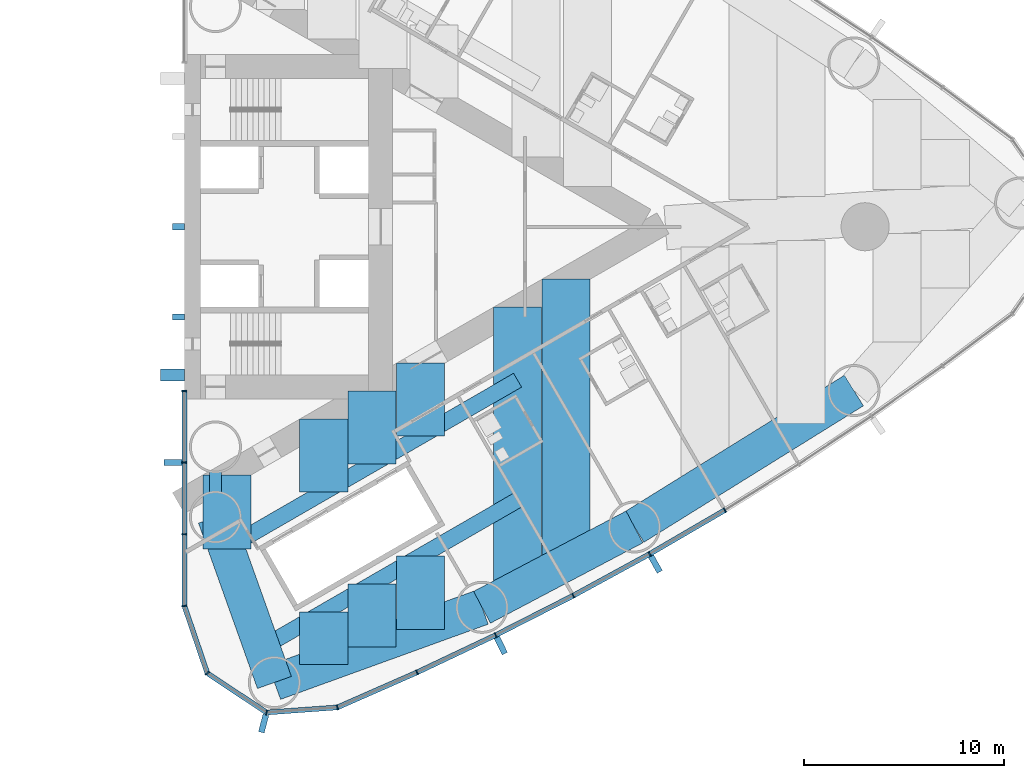
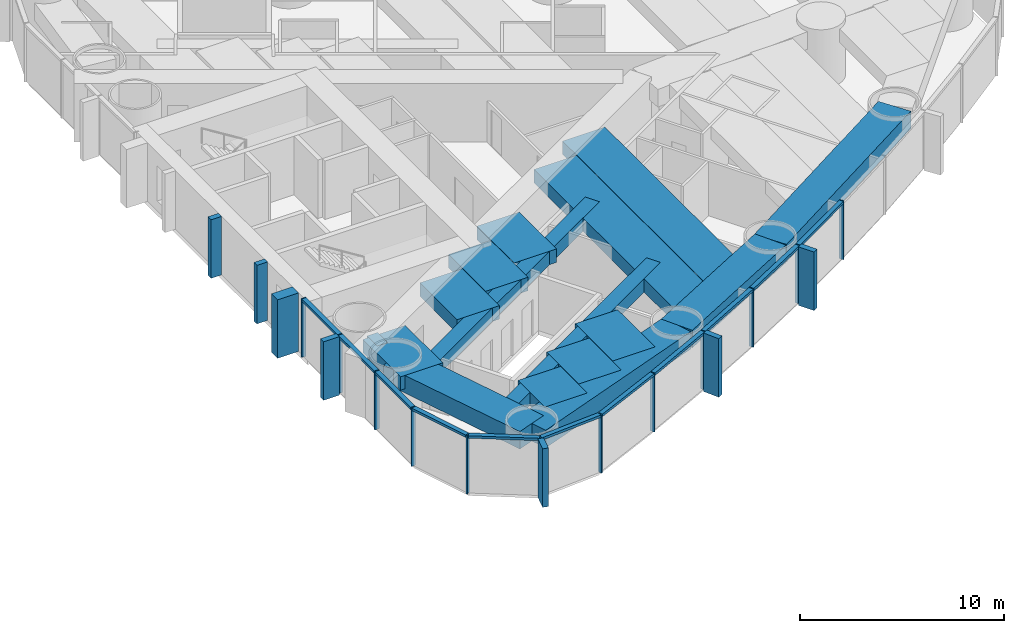
# One storey, part 6 of 18: 30 members, 16 beams, 1 element without a shape of its own.
"""IFC4 building model written with IfcOpenShell, lengths in metres."""

from ifc_helpers import new_model, si_unit, direction, frame, origin, origin_2d, place, context, subcontext, project, spatial, rectangle, hollow_rectangle, extrude, material, material_profile, profile_set, type_object, element, aggregate, save


model = new_model("IFC4")

# Units and contexts
model_context = context("Model", 3, precision=1e-05, world=origin(), true_north=direction((0.0, 1.0)))
body_context = subcontext(model_context, "Body", "Model", "MODEL_VIEW")
ifc_project = project(units=[si_unit("LENGTHUNIT", "METRE"), si_unit("AREAUNIT", "SQUARE_METRE"), si_unit("VOLUMEUNIT", "CUBIC_METRE"), si_unit("PLANEANGLEUNIT", "RADIAN"), si_unit("MASSUNIT", "GRAM", prefix="KILO")], contexts=[model_context])

# Site, building, storey
site_placement = place(None, origin())
site = spatial("IfcSite", under=ifc_project, at=site_placement, CompositionType="ELEMENT")
building_placement = place(site_placement, origin())
building = spatial("IfcBuilding", under=site, at=building_placement, Name="Lancet Gate Hotel", CompositionType="ELEMENT")
storey_placement = place(building_placement, frame((0.0, 0.0, 94.10009765625)))
storey = spatial("IfcBuildingStorey", under=building, at=storey_placement, Name="L24", CompositionType="ELEMENT", Elevation=94.10009765625)

# Curtain wall, members
ifc_material_1 = material(Name="Aluminium curtain wall", Category="aluminium")
curtain_wall_type = type_object("IfcCurtainWallType", Name="Tower unitised curtain wall", PredefinedType="USERDEFINED", material=ifc_material_1)
curtain_wall_placement = place(storey_placement, origin())
curtain_wall = element("IfcCurtainWall", 1, at=curtain_wall_placement, inside=storey, type_object=curtain_wall_type, Name="T2 L24 curtain wall 1", ObjectType="UNITISED CURTAIN WALL", PredefinedType="USERDEFINED")
ifc_material_2 = material(Name="Aluminium mullion", Category="aluminium")
ifc_material_profile_1 = material_profile(ifc_material_2, rectangle(XDim=0.06494140625, YDim=0.25, at=origin_2d()), Name="MULLION 65x250")
ifc_profile_set_1 = profile_set([ifc_material_profile_1], Name="Aluminium mullion")
member_type_1 = type_object("IfcMemberType", Name="Aluminium mullion 65x250", PredefinedType="MULLION", material=ifc_profile_set_1)
member_1_placement = place(storey_placement, frame((27.5, -8.199951171875, 0.0), z_axis=(0.0, 0.0, 1.0), x_axis=(0.0, -1.0, 0.0)))
member_1 = element("IfcMember", 2, at=member_1_placement, type_object=member_type_1, Name="T2 L24 curtain wall 1 mullion 1", PredefinedType="MULLION", context=body_context, shape_type="SweptSolid", body=[
    extrude(rectangle(XDim=0.06494140625, YDim=0.25, at=origin_2d()), origin(), (0.0, 0.0, 1.0), 3.5),
])
member_2_placement = place(storey_placement, frame((27.5, -11.781005859375, 0.0), z_axis=(0.0, 0.0, 1.0), x_axis=(0.0, -1.0, 0.0)))
member_2 = element("IfcMember", 3, at=member_2_placement, type_object=member_type_1, Name="T2 L24 curtain wall 1 mullion 2", PredefinedType="MULLION", context=body_context, shape_type="SweptSolid", body=[
    extrude(rectangle(XDim=0.06494140625, YDim=0.25, at=origin_2d()), origin(), (0.0, 0.0, 1.0), 3.5),
])
member_3_placement = place(storey_placement, frame((27.5, -15.362060546875, 0.0), z_axis=(0.0, 0.0, 1.0), x_axis=(0.0, -1.0, 0.0)))
member_3 = element("IfcMember", 4, at=member_3_placement, type_object=member_type_1, Name="T2 L24 curtain wall 1 mullion 3", PredefinedType="MULLION", context=body_context, shape_type="SweptSolid", body=[
    extrude(rectangle(XDim=0.06494140625, YDim=0.25, at=origin_2d()), origin(), (0.0, 0.0, 1.0), 3.5),
])
member_4_placement = place(storey_placement, frame((27.5, -18.94287109375, 0.0), z_axis=(0.0, 0.0, 1.0), x_axis=(0.162738742557, -0.986669195663, 0.0)))
member_4 = element("IfcMember", 5, at=member_4_placement, type_object=member_type_1, Name="T2 L24 curtain wall 1 mullion 4", PredefinedType="MULLION", context=body_context, shape_type="SweptSolid", body=[
    extrude(rectangle(XDim=0.06494140625, YDim=0.25, at=origin_2d()), origin(), (0.0, 0.0, 1.0), 3.5),
])
member_5_placement = place(storey_placement, frame((28.64453125, -22.301513671875, 0.0), z_axis=(0.0, 0.0, 1.0), x_axis=(0.610663954798, -0.79188984986, 0.0)))
member_5 = element("IfcMember", 6, at=member_5_placement, type_object=member_type_1, Name="T2 L24 curtain wall 1 mullion 5", PredefinedType="MULLION", context=body_context, shape_type="SweptSolid", body=[
    extrude(rectangle(XDim=0.06494140625, YDim=0.25, at=origin_2d()), origin(), (0.0, 0.0, 1.0), 3.5),
])
member_6_placement = place(storey_placement, frame((31.60205078125, -24.26220703125, 0.0), z_axis=(0.0, 0.0, 1.0), x_axis=(0.967157174963, -0.254179068604, 0.0)))
member_6 = element("IfcMember", 7, at=member_6_placement, type_object=member_type_1, Name="T2 L24 curtain wall 1 mullion 6", PredefinedType="MULLION", context=body_context, shape_type="SweptSolid", body=[
    extrude(rectangle(XDim=0.06494140625, YDim=0.25, at=origin_2d()), origin(), (0.0, 0.0, 1.0), 3.5),
])
member_7_placement = place(storey_placement, frame((35.141357421875, -24.009033203125, 0.0), z_axis=(0.0, 0.0, 1.0), x_axis=(0.966317378791, 0.257353304711, 0.0)))
member_7 = element("IfcMember", 8, at=member_7_placement, type_object=member_type_1, Name="T2 L24 curtain wall 1 mullion 7", PredefinedType="MULLION", context=body_context, shape_type="SweptSolid", body=[
    extrude(rectangle(XDim=0.06494140625, YDim=0.25, at=origin_2d()), origin(), (0.0, 0.0, 1.0), 3.5),
])
member_8_placement = place(storey_placement, frame((39.12109375, -22.259765625, 0.0), z_axis=(0.0, 0.0, 1.0), x_axis=(0.909672766767, 0.415325724465, 0.0)))
member_8 = element("IfcMember", 9, at=member_8_placement, type_object=member_type_1, Name="T2 L24 curtain wall 1 mullion 8", PredefinedType="MULLION", context=body_context, shape_type="SweptSolid", body=[
    extrude(rectangle(XDim=0.06494140625, YDim=0.25, at=origin_2d()), origin(), (0.0, 0.0, 1.0), 3.5),
])
member_9_placement = place(storey_placement, frame((43.0498046875, -20.398193359375, 0.0), z_axis=(0.0, 0.0, 1.0), x_axis=(0.897511886496, 0.440990264743, 0.0)))
member_9 = element("IfcMember", 10, at=member_9_placement, type_object=member_type_1, Name="T2 L24 curtain wall 1 mullion 9", PredefinedType="MULLION", context=body_context, shape_type="SweptSolid", body=[
    extrude(rectangle(XDim=0.06494140625, YDim=0.25, at=origin_2d()), origin(), (0.0, 0.0, 1.0), 3.5),
])
member_10_placement = place(storey_placement, frame((46.923828125, -18.426025390625, 0.0), z_axis=(0.0, 0.0, 1.0), x_axis=(0.884627112962, 0.466299121822, 0.0)))
member_10 = element("IfcMember", 11, at=member_10_placement, type_object=member_type_1, Name="T2 L24 curtain wall 1 mullion 10", PredefinedType="MULLION", context=body_context, shape_type="SweptSolid", body=[
    extrude(rectangle(XDim=0.06494140625, YDim=0.25, at=origin_2d()), origin(), (0.0, 0.0, 1.0), 3.5),
])
member_11_placement = place(storey_placement, frame((50.740478515625, -16.344482421875, 0.0), z_axis=(0.0, 0.0, 1.0), x_axis=(0.871028838445, 0.491231882716, 0.0)))
member_11 = element("IfcMember", 12, at=member_11_placement, type_object=member_type_1, Name="T2 L24 curtain wall 1 mullion 11", PredefinedType="MULLION", context=body_context, shape_type="SweptSolid", body=[
    extrude(rectangle(XDim=0.06494140625, YDim=0.25, at=origin_2d()), origin(), (0.0, 0.0, 1.0), 3.5),
])
member_12_placement = place(storey_placement, frame((54.496337890625, -14.1552734375, 0.0), z_axis=(0.0, 0.0, 1.0), x_axis=(0.856728030701, 0.515768437781, 0.0)))
member_12 = element("IfcMember", 13, at=member_12_placement, type_object=member_type_1, Name="T2 L24 curtain wall 1 mullion 12", PredefinedType="MULLION", context=body_context, shape_type="SweptSolid", body=[
    extrude(rectangle(XDim=0.06494140625, YDim=0.25, at=origin_2d()), origin(), (0.0, 0.0, 1.0), 3.5),
])
ifc_material_3 = material(Name="Aluminium transom", Category="aluminium")
ifc_material_profile_2 = material_profile(ifc_material_3, rectangle(XDim=0.25, YDim=0.14990234375, at=origin_2d()), Name="TRANSOM 250x150")
ifc_profile_set_2 = profile_set([ifc_material_profile_2], Name="Aluminium transom")
member_type_2 = type_object("IfcMemberType", Name="Aluminium transom 250x150", PredefinedType="USERDEFINED", material=ifc_profile_set_2)
member_13_placement = place(storey_placement, frame((27.5, -8.232421875, 3.4248046875), z_axis=(0.0, -1.0, 0.0), x_axis=(1.0, 0.0, 0.0)))
member_13 = element("IfcMember", 14, at=member_13_placement, type_object=member_type_2, Name="T2 L24 curtain wall 1 transom 1", ObjectType="TRANSOM", PredefinedType="USERDEFINED", context=body_context, shape_type="SweptSolid", body=[
    extrude(rectangle(XDim=0.25, YDim=0.14990234375, at=origin_2d()), origin(), (0.0, 0.0, 1.0), 3.51611328125),
])
member_14_placement = place(storey_placement, frame((27.5, -11.8134765625, 3.4248046875), z_axis=(0.0, -1.0, 0.0), x_axis=(1.0, 0.0, 0.0)))
member_14 = element("IfcMember", 15, at=member_14_placement, type_object=member_type_2, Name="T2 L24 curtain wall 1 transom 2", ObjectType="TRANSOM", PredefinedType="USERDEFINED", context=body_context, shape_type="SweptSolid", body=[
    extrude(rectangle(XDim=0.25, YDim=0.14990234375, at=origin_2d()), origin(), (0.0, 0.0, 1.0), 3.515869140625),
])
member_15_placement = place(storey_placement, frame((27.5, -15.39453125, 3.4248046875), z_axis=(0.0, -1.0, 0.0), x_axis=(1.0, 0.0, 0.0)))
member_15 = element("IfcMember", 16, at=member_15_placement, type_object=member_type_2, Name="T2 L24 curtain wall 1 transom 3", ObjectType="TRANSOM", PredefinedType="USERDEFINED", context=body_context, shape_type="SweptSolid", body=[
    extrude(rectangle(XDim=0.25, YDim=0.14990234375, at=origin_2d()), origin(), (0.0, 0.0, 1.0), 3.515869140625),
])
member_16_placement = place(storey_placement, frame((27.510498046875, -18.9736328125, 3.4248046875), z_axis=(0.322549769135, -0.946552505903, 0.0), x_axis=(0.946552505903, 0.322549769135, 0.0)))
member_16 = element("IfcMember", 17, at=member_16_placement, type_object=member_type_2, Name="T2 L24 curtain wall 1 transom 4", ObjectType="TRANSOM", PredefinedType="USERDEFINED", context=body_context, shape_type="SweptSolid", body=[
    extrude(rectangle(XDim=0.25, YDim=0.14990234375, at=origin_2d()), origin(), (0.0, 0.0, 1.0), 3.4833984375),
])
member_17_placement = place(storey_placement, frame((28.671630859375, -22.319580078125, 3.4248046875), z_axis=(0.833470854141, -0.552563421968, 0.0), x_axis=(0.552563421968, 0.833470854141, 0.0)))
member_17 = element("IfcMember", 18, at=member_17_placement, type_object=member_type_2, Name="T2 L24 curtain wall 1 transom 5", ObjectType="TRANSOM", PredefinedType="USERDEFINED", context=body_context, shape_type="SweptSolid", body=[
    extrude(rectangle(XDim=0.25, YDim=0.14990234375, at=origin_2d()), origin(), (0.0, 0.0, 1.0), 3.4833984375),
])
member_18_placement = place(storey_placement, frame((31.634521484375, -24.260009765625, 3.4248046875), z_axis=(0.997446232115, 0.071421383636, 0.0), x_axis=(-0.071421383636, 0.997446232115, 0.0)))
member_18 = element("IfcMember", 19, at=member_18_placement, type_object=member_type_2, Name="T2 L24 curtain wall 1 transom 6", ObjectType="TRANSOM", PredefinedType="USERDEFINED", context=body_context, shape_type="SweptSolid", body=[
    extrude(rectangle(XDim=0.25, YDim=0.14990234375, at=origin_2d()), origin(), (0.0, 0.0, 1.0), 3.483154296875),
])
member_19_placement = place(storey_placement, frame((35.171142578125, -23.995849609375, 3.4248046875), z_axis=(0.915484772266, 0.402352621155, 0.0), x_axis=(-0.402352621155, 0.915484772266, 0.0)))
member_19 = element("IfcMember", 20, at=member_19_placement, type_object=member_type_2, Name="T2 L24 curtain wall 1 transom 7", ObjectType="TRANSOM", PredefinedType="USERDEFINED", context=body_context, shape_type="SweptSolid", body=[
    extrude(rectangle(XDim=0.25, YDim=0.14990234375, at=origin_2d()), origin(), (0.0, 0.0, 1.0), 4.281982421875),
])
member_20_placement = place(storey_placement, frame((39.150634765625, -22.245849609375, 3.4248046875), z_axis=(0.903679787814, 0.428208875546, 0.0), x_axis=(-0.428208875546, 0.903679787814, 0.0)))
member_20 = element("IfcMember", 21, at=member_20_placement, type_object=member_type_2, Name="T2 L24 curtain wall 1 transom 8", ObjectType="TRANSOM", PredefinedType="USERDEFINED", context=body_context, shape_type="SweptSolid", body=[
    extrude(rectangle(XDim=0.25, YDim=0.14990234375, at=origin_2d()), origin(), (0.0, 0.0, 1.0), 4.282470703125),
])
member_21_placement = place(storey_placement, frame((43.07861328125, -20.383544921875, 3.4248046875), z_axis=(0.891165630033, 0.453678101574, 0.0), x_axis=(-0.453678101574, 0.891165630033, 0.0)))
member_21 = element("IfcMember", 22, at=member_21_placement, type_object=member_type_2, Name="T2 L24 curtain wall 1 transom 9", ObjectType="TRANSOM", PredefinedType="USERDEFINED", context=body_context, shape_type="SweptSolid", body=[
    extrude(rectangle(XDim=0.25, YDim=0.14990234375, at=origin_2d()), origin(), (0.0, 0.0, 1.0), 4.282470703125),
])
member_22_placement = place(storey_placement, frame((46.952392578125, -18.410400390625, 3.4248046875), z_axis=(0.877906466435, 0.478832158685, 0.0), x_axis=(-0.478832158685, 0.877906466435, 0.0)))
member_22 = element("IfcMember", 23, at=member_22_placement, type_object=member_type_2, Name="T2 L24 curtain wall 1 transom 10", ObjectType="TRANSOM", PredefinedType="USERDEFINED", context=body_context, shape_type="SweptSolid", body=[
    extrude(rectangle(XDim=0.25, YDim=0.14990234375, at=origin_2d()), origin(), (0.0, 0.0, 1.0), 4.282470703125),
])
member_23_placement = place(storey_placement, frame((50.7685546875, -16.327880859375, 3.4248046875), z_axis=(0.863973212152, 0.503537772847, 0.0), x_axis=(-0.503537772847, 0.863973212152, 0.0)))
member_23 = element("IfcMember", 24, at=member_23_placement, type_object=member_type_2, Name="T2 L24 curtain wall 1 transom 11", ObjectType="TRANSOM", PredefinedType="USERDEFINED", context=body_context, shape_type="SweptSolid", body=[
    extrude(rectangle(XDim=0.25, YDim=0.14990234375, at=origin_2d()), origin(), (0.0, 0.0, 1.0), 4.2822265625),
])

# Beams
ifc_material_4 = material(Name="Concrete C50/60", Category="concrete")
ifc_material_profile_3 = material_profile(ifc_material_4, rectangle(XDim=1.800048828125, YDim=1.050048828125, at=origin_2d()), Name="RC 1800x1050")
ifc_profile_set_3 = profile_set([ifc_material_profile_3], Name="Concrete C50/60")
beam_type_1 = type_object("IfcBeamType", Name="Edge beam RC 1800x1050", PredefinedType="SPANDREL", material=ifc_profile_set_3)
beam_1_placement = place(storey_placement, frame((31.99609375, -22.76318359375, 2.724853515625), z_axis=(0.940225039526, 0.340553777029, 0.0), x_axis=(-0.340553777029, 0.940225039526, 0.0)))
element("IfcBeam", 25, at=beam_1_placement, inside=storey, type_object=beam_type_1, Name="T2 edge beam EB1 L24", PredefinedType="SPANDREL", context=body_context, shape_type="SweptSolid", body=[
    extrude(rectangle(XDim=1.800048828125, YDim=1.050048828125, at=origin_2d()), origin(), (0.0, 0.0, 1.0), 11.029296875),
])
beam_2_placement = place(storey_placement, frame((42.3662109375, -19.007080078125, 2.724853515625), z_axis=(0.884632510133, 0.466288882578, 0.0), x_axis=(-0.466288882578, 0.884632510133, 0.0)))
element("IfcBeam", 26, at=beam_2_placement, inside=storey, type_object=beam_type_1, Name="T2 edge beam EB1 L24", PredefinedType="SPANDREL", context=body_context, shape_type="SweptSolid", body=[
    extrude(rectangle(XDim=1.800048828125, YDim=1.050048828125, at=origin_2d()), origin(), (0.0, 0.0, 1.0), 8.605712890625),
])
beam_3_placement = place(storey_placement, frame((49.97900390625, -14.994384765625, 2.724853515625), z_axis=(0.849312372751, 0.527890607505, 0.0), x_axis=(-0.527890607505, 0.849312372751, 0.0)))
element("IfcBeam", 27, at=beam_3_placement, inside=storey, type_object=beam_type_1, Name="T2 edge beam EB1 L24", PredefinedType="SPANDREL", context=body_context, shape_type="SweptSolid", body=[
    extrude(rectangle(XDim=1.800048828125, YDim=1.050048828125, at=origin_2d()), origin(), (0.0, 0.0, 1.0), 12.906494140625),
])
beam_4_placement = place(storey_placement, frame((31.99609375, -22.76318359375, 2.724853515625), z_axis=(-0.335821559388, 0.941925623523, 0.0), x_axis=(-0.941925623523, -0.335821559388, 0.0)))
element("IfcBeam", 28, at=beam_4_placement, inside=storey, type_object=beam_type_1, Name="T2 edge beam EB1 L24", PredefinedType="SPANDREL", context=body_context, shape_type="SweptSolid", body=[
    extrude(rectangle(XDim=1.800048828125, YDim=1.050048828125, at=origin_2d()), origin(), (0.0, 0.0, 1.0), 8.772705078125),
])

# Member
ifc_material_5 = material(Name="Concrete C60/75", Category="concrete")
ifc_material_profile_4 = material_profile(ifc_material_5, rectangle(XDim=0.60009765625, YDim=1.199951171875, at=origin_2d()), Name="FIN 600x1200")
ifc_profile_set_4 = profile_set([ifc_material_profile_4], Name="Concrete C60/75")
member_type_3 = type_object("IfcMemberType", Name="Exposed concrete buttress pilaster 600x1200", PredefinedType="USERDEFINED", material=ifc_profile_set_4)
member_24_placement = place(storey_placement, frame((26.909912109375, -7.39990234375, 0.0), z_axis=(0.0, 0.0, 1.0), x_axis=(0.0, 1.0, 0.0)))
element("IfcMember", 29, at=member_24_placement, inside=storey, type_object=member_type_3, Name="T2 buttress pilaster S L24", ObjectType="FIN", PredefinedType="USERDEFINED", context=body_context, shape_type="SweptSolid", body=[
    extrude(rectangle(XDim=0.60009765625, YDim=1.199951171875, at=origin_2d()), origin(), (0.0, 0.0, 1.0), 3.5),
])

ifc_material_6 = material(Name="Precast concrete C50/60", Category="concrete")
ifc_material_profile_5 = material_profile(ifc_material_6, rectangle(XDim=0.300048828125, YDim=0.89990234375, at=origin_2d()), Name="FIN 300x900")
ifc_profile_set_5 = profile_set([ifc_material_profile_5], Name="Precast concrete C50/60")
member_type_4 = type_object("IfcMemberType", Name="Exposed concrete fin 300x900", PredefinedType="USERDEFINED", material=ifc_profile_set_5)
member_25_placement = place(storey_placement, frame((26.925048828125, -11.781005859375, 0.0), z_axis=(0.0, 0.0, 1.0), x_axis=(0.0, -1.0, 0.0)))
member_25 = element("IfcMember", 30, at=member_25_placement, type_object=member_type_4, Name="T2 L24 curtain wall 1 fin 2", ObjectType="FIN", PredefinedType="USERDEFINED", context=body_context, shape_type="SweptSolid", body=[
    extrude(rectangle(XDim=0.300048828125, YDim=0.89990234375, at=origin_2d()), origin(), (0.0, 0.0, 1.0), 3.5),
])

member_26_placement = place(storey_placement, frame((31.455810546875, -24.818359375, 0.0), z_axis=(0.0, 0.0, 1.0), x_axis=(0.967157174963, -0.254179068604, 0.0)))
member_26 = element("IfcMember", 31, at=member_26_placement, type_object=member_type_4, Name="T2 L24 curtain wall 1 fin 6", ObjectType="FIN", PredefinedType="USERDEFINED", context=body_context, shape_type="SweptSolid", body=[
    extrude(rectangle(XDim=0.300048828125, YDim=0.89990234375, at=origin_2d()), origin(), (0.0, 0.0, 1.0), 3.5),
])

member_27_placement = place(storey_placement, frame((43.30322265625, -20.914306640625, 0.0), z_axis=(0.0, 0.0, 1.0), x_axis=(0.897511886496, 0.440990264743, 0.0)))
member_27 = element("IfcMember", 32, at=member_27_placement, type_object=member_type_4, Name="T2 L24 curtain wall 1 fin 9", ObjectType="FIN", PredefinedType="USERDEFINED", context=body_context, shape_type="SweptSolid", body=[
    extrude(rectangle(XDim=0.300048828125, YDim=0.89990234375, at=origin_2d()), origin(), (0.0, 0.0, 1.0), 3.5),
])

member_28_placement = place(storey_placement, frame((51.02294921875, -16.84521484375, 0.0), z_axis=(0.0, 0.0, 1.0), x_axis=(0.871028838445, 0.491231882716, 0.0)))
member_28 = element("IfcMember", 33, at=member_28_placement, type_object=member_type_4, Name="T2 L24 curtain wall 1 fin 11", ObjectType="FIN", PredefinedType="USERDEFINED", context=body_context, shape_type="SweptSolid", body=[
    extrude(rectangle(XDim=0.300048828125, YDim=0.89990234375, at=origin_2d()), origin(), (0.0, 0.0, 1.0), 3.5),
])

aggregate(curtain_wall, [member_1, member_2, member_25, member_3, member_4, member_5, member_6, member_26, member_7, member_8, member_9, member_27, member_10, member_11, member_28, member_12, member_13, member_14, member_15, member_16, member_17, member_18, member_19, member_20, member_21, member_22, member_23])

# Members
ifc_material_7 = material(Name="Concrete C60/75", Category="concrete")
ifc_material_profile_6 = material_profile(ifc_material_7, rectangle(XDim=0.300048828125, YDim=0.60009765625, at=origin_2d()), Name="FIN 300x600")
ifc_profile_set_6 = profile_set([ifc_material_profile_6], Name="Concrete C60/75")
member_type_5 = type_object("IfcMemberType", Name="Exposed concrete rib 300x600", PredefinedType="USERDEFINED", material=ifc_profile_set_6)
for number, where, z_axis, x_axis, name in (
    (34, (27.2099609375, -4.5, 0.0), (0.0, 0.0, 1.0), (0.0, 1.0, 0.0), "T2 core rib 1 L24"),
    (35, (27.2099609375, 0.0, 0.0), (0.0, 0.0, 1.0), (0.0, 1.0, 0.0), "T2 core rib 2 L24"),
):
    element("IfcMember", number, at=place(storey_placement, frame(where, z_axis=z_axis, x_axis=x_axis)), inside=storey, type_object=member_type_5, Name=name, ObjectType="FIN", PredefinedType="USERDEFINED", context=body_context, shape_type="SweptSolid", body=[
        extrude(rectangle(XDim=0.300048828125, YDim=0.60009765625, at=origin_2d()), origin(), (0.0, 0.0, 1.0), 3.5),
    ])

# Beams
ifc_material_8 = material(Name="Concrete C50/60", Category="concrete")
ifc_material_profile_7 = material_profile(ifc_material_8, rectangle(XDim=2.39990234375, YDim=0.800048828125, at=origin_2d()), Name="RC 2400x800")
ifc_profile_set_7 = profile_set([ifc_material_profile_7], Name="Concrete C50/60")
beam_type_2 = type_object("IfcBeamType", Name="Floor beam RC 2400x800", PredefinedType="BEAM", material=ifc_profile_set_7)
beam_5_placement = place(storey_placement, frame((29.6201171875, -16.099365234375, 2.849853515625), z_axis=(0.0, 1.0, 0.0), x_axis=(-1.0, 0.0, 0.0)))
element("IfcBeam", 36, at=beam_5_placement, inside=storey, type_object=beam_type_2, Name="T2 floor beam F01S L24", PredefinedType="BEAM", context=body_context, shape_type="SweptSolid", body=[
    extrude(rectangle(XDim=2.39990234375, YDim=0.800048828125, at=origin_2d()), origin(), (0.0, 0.0, 1.0), 3.69677734375),
])
beam_6_placement = place(storey_placement, frame((44.1416015625, -18.0712890625, 2.849853515625), z_axis=(0.0, 1.0, 0.0), x_axis=(-1.0, 0.0, 0.0)))
element("IfcBeam", 37, at=beam_6_placement, inside=storey, type_object=beam_type_2, Name="T2 floor beam F09S L24", PredefinedType="BEAM", context=body_context, shape_type="SweptSolid", body=[
    extrude(rectangle(XDim=2.39990234375, YDim=0.800048828125, at=origin_2d()), origin(), (0.0, 0.0, 1.0), 14.052490234375),
])
beam_7_placement = place(storey_placement, frame((46.561767578125, -16.795654296875, 2.849853515625), z_axis=(0.0, 1.0, 0.0), x_axis=(-1.0, 0.0, 0.0)))
element("IfcBeam", 38, at=beam_7_placement, inside=storey, type_object=beam_type_2, Name="T2 floor beam F11S L24", PredefinedType="BEAM", context=body_context, shape_type="SweptSolid", body=[
    extrude(rectangle(XDim=2.39990234375, YDim=0.800048828125, at=origin_2d()), origin(), (0.0, 0.0, 1.0), 14.17431640625),
])
beam_8_placement = place(storey_placement, frame((34.460693359375, -21.87060546875, 2.849853515625), z_axis=(0.0, 1.0, 0.0), x_axis=(-1.0, 0.0, 0.0)))
element("IfcBeam", 39, at=beam_8_placement, inside=storey, type_object=beam_type_2, Name="T2 floor beam F03SA L24", PredefinedType="BEAM", context=body_context, shape_type="SweptSolid", body=[
    extrude(rectangle(XDim=2.39990234375, YDim=0.800048828125, at=origin_2d()), origin(), (0.0, 0.0, 1.0), 2.62939453125),
])
beam_9_placement = place(storey_placement, frame((34.460693359375, -13.253662109375, 2.849853515625), z_axis=(0.0, 1.0, 0.0), x_axis=(-1.0, 0.0, 0.0)))
element("IfcBeam", 40, at=beam_9_placement, inside=storey, type_object=beam_type_2, Name="T2 floor beam F03SB L24", PredefinedType="BEAM", context=body_context, shape_type="SweptSolid", body=[
    extrude(rectangle(XDim=2.39990234375, YDim=0.800048828125, at=origin_2d()), origin(), (0.0, 0.0, 1.0), 3.645751953125),
])
beam_10_placement = place(storey_placement, frame((36.880859375, -20.993896484375, 2.849853515625), z_axis=(0.0, 1.0, 0.0), x_axis=(-1.0, 0.0, 0.0)))
element("IfcBeam", 41, at=beam_10_placement, inside=storey, type_object=beam_type_2, Name="T2 floor beam F05SA L24", PredefinedType="BEAM", context=body_context, shape_type="SweptSolid", body=[
    extrude(rectangle(XDim=2.39990234375, YDim=0.800048828125, at=origin_2d()), origin(), (0.0, 0.0, 1.0), 3.150146484375),
])
beam_11_placement = place(storey_placement, frame((36.880859375, -11.8564453125, 2.849853515625), z_axis=(0.0, 1.0, 0.0), x_axis=(-1.0, 0.0, 0.0)))
element("IfcBeam", 42, at=beam_11_placement, inside=storey, type_object=beam_type_2, Name="T2 floor beam F05SB L24", PredefinedType="BEAM", context=body_context, shape_type="SweptSolid", body=[
    extrude(rectangle(XDim=2.39990234375, YDim=0.800048828125, at=origin_2d()), origin(), (0.0, 0.0, 1.0), 3.645751953125),
])
beam_12_placement = place(storey_placement, frame((39.301025390625, -20.1171875, 2.849853515625), z_axis=(0.0, 1.0, 0.0), x_axis=(-1.0, 0.0, 0.0)))
element("IfcBeam", 43, at=beam_12_placement, inside=storey, type_object=beam_type_2, Name="T2 floor beam F07SA L24", PredefinedType="BEAM", context=body_context, shape_type="SweptSolid", body=[
    extrude(rectangle(XDim=2.39990234375, YDim=0.800048828125, at=origin_2d()), origin(), (0.0, 0.0, 1.0), 3.670654296875),
])
beam_13_placement = place(storey_placement, frame((39.301025390625, -10.458984375, 2.849853515625), z_axis=(0.0, 1.0, 0.0), x_axis=(-1.0, 0.0, 0.0)))
element("IfcBeam", 44, at=beam_13_placement, inside=storey, type_object=beam_type_2, Name="T2 floor beam F07SB L24", PredefinedType="BEAM", context=body_context, shape_type="SweptSolid", body=[
    extrude(rectangle(XDim=2.39990234375, YDim=0.800048828125, at=origin_2d()), origin(), (0.0, 0.0, 1.0), 3.6455078125),
])
ifc_material_9 = material(Name="Steel S460QL", Category="steel")
ifc_material_profile_8 = material_profile(ifc_material_9, hollow_rectangle(XDim=0.60009765625, YDim=1.5, WallThickness=0.050048828125, at=origin_2d()), Name="BOX 1500x600x50")
ifc_profile_set_8 = profile_set([ifc_material_profile_8], Name="Steel S460QL")
beam_type_3 = type_object("IfcBeamType", Name="Inner-face link beam BOX 1500x600x50", PredefinedType="BEAM", material=ifc_profile_set_8)
beam_14_placement = place(storey_placement, frame((29.050048828125, -13.25, 2.5), z_axis=(0.0, 1.0, 0.0), x_axis=(-1.0, 0.0, 0.0)))
element("IfcBeam", 45, at=beam_14_placement, inside=storey, type_object=beam_type_3, Name="T2 inner-face link beam LK1 L24", PredefinedType="BEAM", context=body_context, shape_type="SweptSolid", body=[
    extrude(hollow_rectangle(XDim=0.60009765625, YDim=1.5, WallThickness=0.050048828125, at=origin_2d()), origin(), (0.0, 0.0, 1.0), 1.0),
])
ifc_material_10 = material(Name="Steel S460QL", Category="steel")
ifc_material_profile_9 = material_profile(ifc_material_10, hollow_rectangle(XDim=0.800048828125, YDim=0.800048828125, WallThickness=0.080078125, at=origin_2d()), Name="BOX 800x800x80")
ifc_profile_set_9 = profile_set([ifc_material_profile_9], Name="Steel S460QL")
beam_type_4 = type_object("IfcBeamType", Name="Trimmer beam BOX 800x800x80", PredefinedType="BEAM", material=ifc_profile_set_9)
beam_15_placement = place(storey_placement, frame((29.6201171875, -16.048095703125, 2.849853515625), z_axis=(0.866036714307, 0.499980409089, 0.0), x_axis=(-0.499980409089, 0.866036714307, 0.0)))
element("IfcBeam", 46, at=beam_15_placement, inside=storey, type_object=beam_type_4, Name="T2 trimmer beam TR01S L24", PredefinedType="BEAM", context=body_context, shape_type="SweptSolid", body=[
    extrude(hollow_rectangle(XDim=0.800048828125, YDim=0.800048828125, WallThickness=0.080078125, at=origin_2d()), origin(), (0.0, 0.0, 1.0), 16.767822265625),
])
beam_16_placement = place(storey_placement, frame((31.375244140625, -21.0224609375, 2.849853515625), z_axis=(0.86603417384, 0.49998480951, 0.0), x_axis=(-0.49998480951, 0.86603417384, 0.0)))
element("IfcBeam", 47, at=beam_16_placement, inside=storey, type_object=beam_type_4, Name="T2 trimmer beam TR02S L24", PredefinedType="BEAM", context=body_context, shape_type="SweptSolid", body=[
    extrude(hollow_rectangle(XDim=0.800048828125, YDim=0.800048828125, WallThickness=0.080078125, at=origin_2d()), origin(), (0.0, 0.0, 1.0), 14.7412109375),
])

save(model, "model.ifc")
